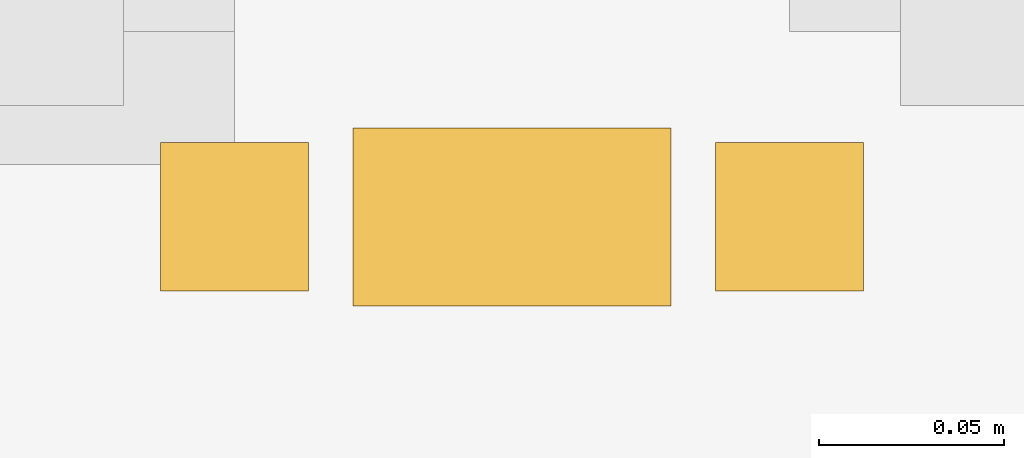
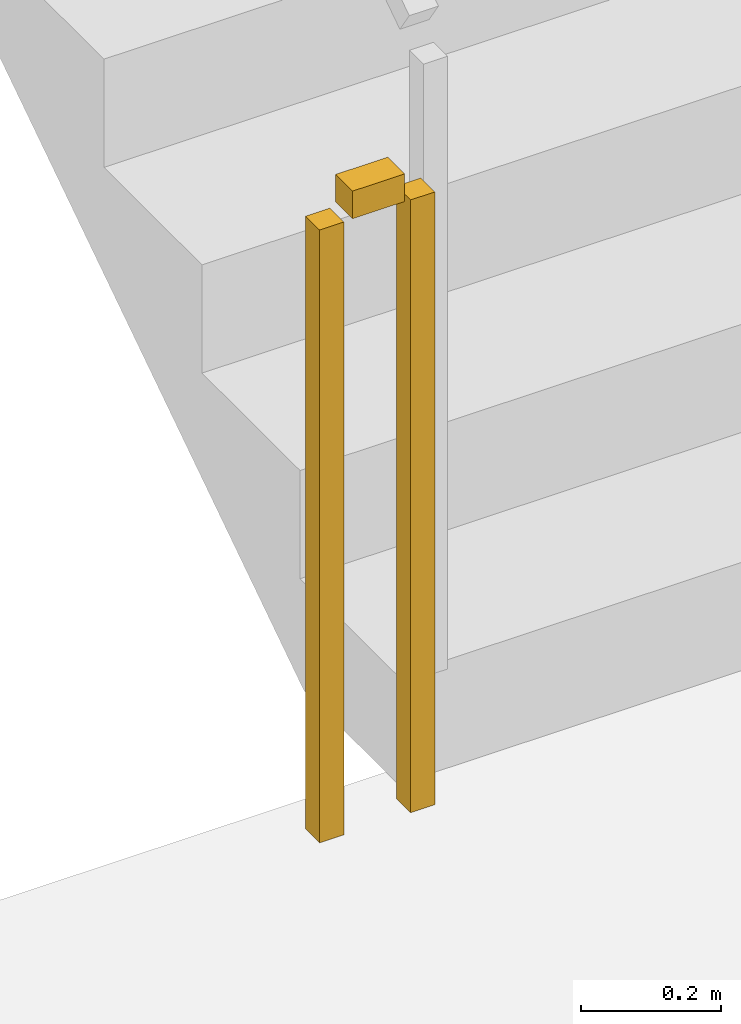
# One storey, part 14 of 17: 1 railing.
"""IFC4 building model written with IfcOpenShell, lengths in metres."""

from ifc_helpers import new_model, si_unit, direction, frame, origin, origin_2d, place, context, subcontext, project, spatial, rectangle, extrude, material, type_object, element, save


model = new_model("IFC4")

# Units and contexts
model_context = context("Model", 3, precision=1e-05, world=origin(), true_north=direction((0.0, 1.0)))
body_context = subcontext(model_context, "Body", "Model", "MODEL_VIEW")
ifc_project = project(units=[si_unit("LENGTHUNIT", "METRE"), si_unit("AREAUNIT", "SQUARE_METRE"), si_unit("VOLUMEUNIT", "CUBIC_METRE"), si_unit("PLANEANGLEUNIT", "RADIAN"), si_unit("MASSUNIT", "GRAM", prefix="KILO")], contexts=[model_context])

# Site, building, storey
site_placement = place(None, origin())
site = spatial("IfcSite", under=ifc_project, at=site_placement, CompositionType="ELEMENT")
building_placement = place(site_placement, origin())
building = spatial("IfcBuilding", under=site, at=building_placement, Name="Tharavind Bronze Gate", CompositionType="ELEMENT")
storey_placement = place(building_placement, frame((0.0, 0.0, 298.0)))
storey = spatial("IfcBuildingStorey", under=building, at=storey_placement, Name="L77", CompositionType="ELEMENT", Elevation=298.0)

# Railing
ifc_material = material(Name="Brushed Bronze Alloy", Category="metal")
railing_type = type_object("IfcRailingType", Name="STAIR WELL GUARD RAILING 1120", PredefinedType="GUARDRAIL", material=ifc_material)
railing_placement = place(storey_placement, frame((-6.85009765625, -2.300048828125, 0.0)))
element("IfcRailing", 1, at=railing_placement, inside=storey, type_object=railing_type, Name="L77 ST1 stair guard 4", PredefinedType="GUARDRAIL", context=body_context, shape_type="SweptSolid", body=[
    extrude(rectangle(XDim=0.048095703125, YDim=0.048095703125, at=origin_2d()), frame((-0.031982421875, 0.0, 1.09619140625), z_axis=(-1.0, 0.0, 0.0), x_axis=(0.0, -1.0, 0.0)), (0.0, 0.0, 1.0), 0.0859375),
    extrude(rectangle(XDim=0.0400390625, YDim=0.0400390625, at=origin_2d()), origin(), (0.0, 0.0, 1.0), 1.068115234375),
    extrude(rectangle(XDim=0.0400390625, YDim=0.0400390625, at=origin_2d()), frame((-0.14990234375, 0.0, 0.0)), (0.0, 0.0, 1.0), 1.068115234375),
])

save(model, "model.ifc")
